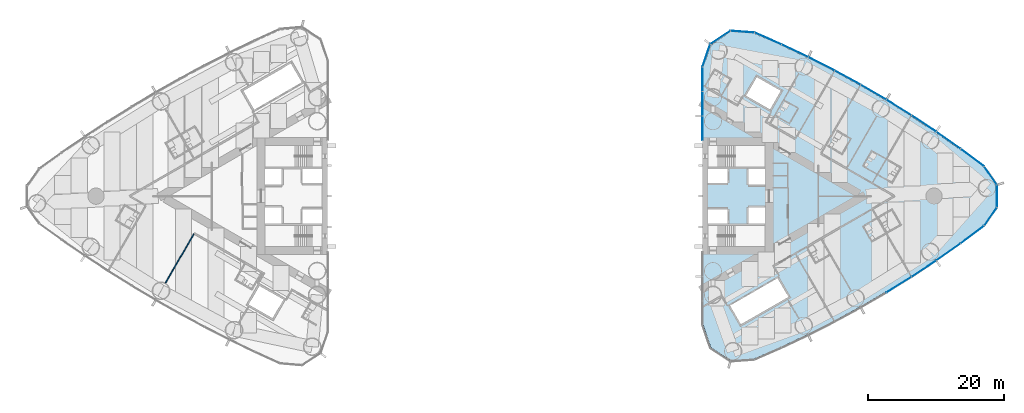
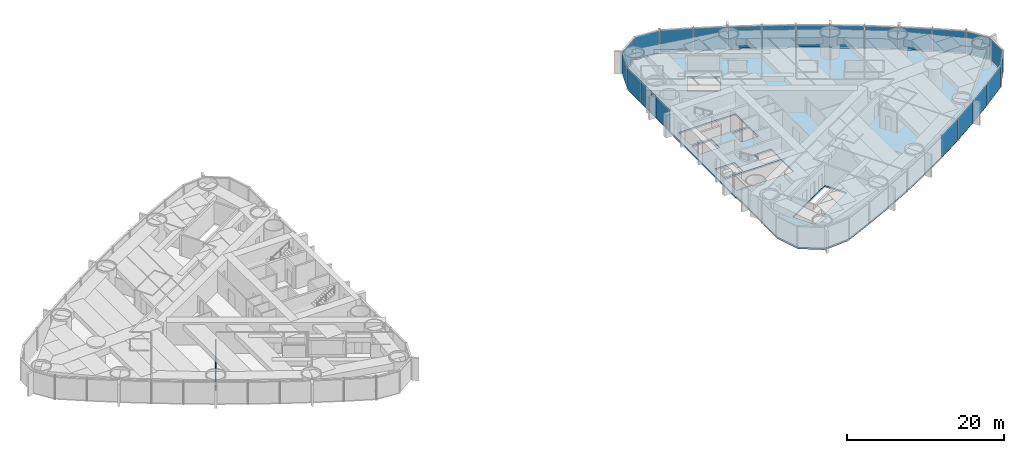
# One storey, part 10 of 18: 22 plates, 1 slab, 1 wall, 1 element without a shape of its own.
"""IFC4 building model written with IfcOpenShell, lengths in metres."""

from ifc_helpers import new_model, si_unit, direction, frame, frame_2d, origin, origin_2d, place, context, subcontext, project, spatial, polyline, rectangle, outline, extrude, material, layer, layer_set, type_object, element, aggregate, save


model = new_model("IFC4")

# Units and contexts
model_context = context("Model", 3, precision=1e-05, world=origin(), true_north=direction((0.0, 1.0)))
body_context = subcontext(model_context, "Body", "Model", "MODEL_VIEW")
ifc_project = project(units=[si_unit("LENGTHUNIT", "METRE"), si_unit("AREAUNIT", "SQUARE_METRE"), si_unit("VOLUMEUNIT", "CUBIC_METRE"), si_unit("PLANEANGLEUNIT", "RADIAN"), si_unit("MASSUNIT", "GRAM", prefix="KILO")], contexts=[model_context])

# Site, building, storey
site_placement = place(None, origin())
site = spatial("IfcSite", under=ifc_project, at=site_placement, CompositionType="ELEMENT")
building_placement = place(site_placement, origin())
building = spatial("IfcBuilding", under=site, at=building_placement, Name="Lancet Gate Hotel", CompositionType="ELEMENT")
storey_placement = place(building_placement, frame((0.0, 0.0, 115.10009765625)))
storey = spatial("IfcBuildingStorey", under=building, at=storey_placement, Name="L30", CompositionType="ELEMENT", Elevation=115.10009765625)

# Slab
ifc_material_1 = material(Name="Concrete C50/60", Category="concrete")
ifc_layer_1 = layer(ifc_material_1, 0.25)
ifc_layer_set_1 = layer_set([ifc_layer_1], Name="Floor slab 250")
slab_type = type_object("IfcSlabType", Name="Floor slab 250", PredefinedType="FLOOR", material=ifc_layer_set_1)
slab_placement = place(storey_placement, frame((0.0, 0.0, -0.25)))
element("IfcSlab", 1, at=slab_placement, inside=storey, type_object=slab_type, Name="T2 L30 floor slab", PredefinedType="FLOOR", context=body_context, shape_type="SweptSolid", body=[
    extrude(outline(polyline([(27.5, -8.60009765625), (27.6201171875, -8.60009765625), (27.6201171875, -18.923095703125), (28.7451171875, -22.22412109375), (31.63427734375, -24.1396484375), (35.112060546875, -23.890869140625), (39.0712890625, -22.150634765625), (42.996826171875, -20.29052734375), (46.867919921875, -18.31982421875), (50.681640625, -16.23974609375), (54.4345703125, -14.052490234375), (58.123779296875, -11.75927734375), (61.74658203125, -9.362548828125), (65.2998046875, -6.863525390625), (68.7666015625, -4.275390625), (70.627197265625, -1.6142578125), (70.627197265625, 1.6142578125), (68.7666015625, 4.275390625), (65.2998046875, 6.863525390625), (61.74658203125, 9.362548828125), (58.123779296875, 11.75927734375), (54.4345703125, 14.052490234375), (50.681640625, 16.23974609375), (46.867919921875, 18.31982421875), (42.996826171875, 20.29052734375), (39.0712890625, 22.150634765625), (35.112060546875, 23.890869140625), (31.63427734375, 24.1396484375), (28.7451171875, 22.22412109375), (27.6201171875, 18.923095703125), (27.6201171875, 8.60009765625), (27.5, 8.60009765625), (27.5, 8.199951171875), (27.5, -8.199951171875), (27.5, -8.60009765625)]), holes=[polyline([(36.699951171875, -7.39990234375), (36.699951171875, -4.300048828125), (28.300048828125, -4.300048828125), (28.300048828125, -7.39990234375), (36.699951171875, -7.39990234375)]), polyline([(28.300048828125, -4.0), (31.199951171875, -4.0), (31.199951171875, -1.89990234375), (28.300048828125, -1.89990234375), (28.300048828125, -4.0)]), polyline([(34.25, -4.0), (36.699951171875, -4.0), (36.699951171875, -1.64990234375), (34.25, -1.64990234375), (34.25, -4.0)]), polyline([(36.699951171875, 1.64990234375), (36.699951171875, 4.0), (34.25, 4.0), (34.25, 1.64990234375), (36.699951171875, 1.64990234375)]), polyline([(28.300048828125, 1.89990234375), (31.199951171875, 1.89990234375), (31.199951171875, 4.0), (28.300048828125, 4.0), (28.300048828125, 1.89990234375)]), polyline([(28.300048828125, 4.300048828125), (36.699951171875, 4.300048828125), (36.699951171875, 7.39990234375), (28.300048828125, 7.39990234375), (28.300048828125, 4.300048828125)]), polyline([(31.549072265625, -16.0810546875), (33.14892578125, -18.85205078125), (40.1640625, -14.802001953125), (38.56396484375, -12.031005859375), (31.549072265625, -16.0810546875)]), polyline([(33.887939453125, 14.73095703125), (37.43798828125, 12.680908203125), (39.0380859375, 15.451904296875), (35.488037109375, 17.501953125), (33.887939453125, 14.73095703125)])]), origin(), (0.0, 0.0, 1.0), 0.25),
])

# Curtain wall, plates
ifc_material_2 = material(Name="Aluminium curtain wall", Category="aluminium")
curtain_wall_type = type_object("IfcCurtainWallType", Name="Tower unitised curtain wall", PredefinedType="USERDEFINED", material=ifc_material_2)
curtain_wall_placement = place(storey_placement, origin())
curtain_wall = element("IfcCurtainWall", 2, at=curtain_wall_placement, inside=storey, type_object=curtain_wall_type, Name="T2 L30 curtain wall 1", ObjectType="UNITISED CURTAIN WALL", PredefinedType="USERDEFINED")
ifc_material_3 = material(Name="Glass double glazed unit 8-16-6", Category="glass")
ifc_layer_2 = layer(ifc_material_3, 0.030029296875)
ifc_layer_set_2 = layer_set([ifc_layer_2], Name="Vision panel double glazed")
plate_type = type_object("IfcPlateType", Name="Vision panel double glazed", PredefinedType="CURTAIN_PANEL", material=ifc_layer_set_2)
plate_1_placement = place(storey_placement, frame((56.342529296875, -13.0078125, -0.000244140625), z_axis=(0.0, 0.0, 1.0), x_axis=(0.849317759497, 0.527881940781, 0.0)))
plate_1 = element("IfcPlate", 3, at=plate_1_placement, type_object=plate_type, Name="T2 L30 curtain wall 1 panel 12", PredefinedType="CURTAIN_PANEL", context=body_context, shape_type="SweptSolid", body=[
    extrude(rectangle(XDim=4.2822265625, YDim=0.030029296875, at=origin_2d()), origin(), (0.0, 0.0, 1.0), 3.35009765625),
])
plate_2_placement = place(storey_placement, frame((60.00146484375, -10.660888671875, -0.000244140625), z_axis=(0.0, 0.0, 1.0), x_axis=(0.83398495346, 0.551787184885, 0.0)))
plate_2 = element("IfcPlate", 4, at=plate_2_placement, type_object=plate_type, Name="T2 L30 curtain wall 1 panel 13", PredefinedType="CURTAIN_PANEL", context=body_context, shape_type="SweptSolid", body=[
    extrude(rectangle(XDim=4.2822265625, YDim=0.030029296875, at=origin_2d()), origin(), (0.0, 0.0, 1.0), 3.35009765625),
])
plate_3_placement = place(storey_placement, frame((63.59228515625, -8.211181640625, -0.000244140625), z_axis=(0.0, 0.0, 1.0), x_axis=(0.817979492167, 0.57524738191, 0.0)))
plate_3 = element("IfcPlate", 5, at=plate_3_placement, type_object=plate_type, Name="T2 L30 curtain wall 1 panel 14", PredefinedType="CURTAIN_PANEL", context=body_context, shape_type="SweptSolid", body=[
    extrude(rectangle(XDim=4.2822265625, YDim=0.030029296875, at=origin_2d()), origin(), (0.0, 0.0, 1.0), 3.35009765625),
])
plate_4_placement = place(storey_placement, frame((67.112060546875, -5.660400390625, -0.000244140625), z_axis=(0.0, 0.0, 1.0), x_axis=(0.801314284905, 0.598243609917, 0.0)))
plate_4 = element("IfcPlate", 6, at=plate_4_placement, type_object=plate_type, Name="T2 L30 curtain wall 1 panel 15", PredefinedType="CURTAIN_PANEL", context=body_context, shape_type="SweptSolid", body=[
    extrude(rectangle(XDim=4.2822265625, YDim=0.030029296875, at=origin_2d()), origin(), (0.0, 0.0, 1.0), 3.35009765625),
])
plate_5_placement = place(storey_placement, frame((69.800537109375, -3.006103515625, -0.000244140625), z_axis=(0.0, 0.0, 1.0), x_axis=(0.573025075425, 0.819537834962, 0.0)))
plate_5 = element("IfcPlate", 7, at=plate_5_placement, type_object=plate_type, Name="T2 L30 curtain wall 1 panel 16", PredefinedType="CURTAIN_PANEL", context=body_context, shape_type="SweptSolid", body=[
    extrude(rectangle(XDim=3.2392578125, YDim=0.030029296875, at=origin_2d()), origin(), (0.0, 0.0, 1.0), 3.35009765625),
])
plate_6_placement = place(storey_placement, frame((70.747314453125, 0.0, -0.000244140625), z_axis=(0.0, 0.0, 1.0), x_axis=(0.0, 1.0, 0.0)))
plate_6 = element("IfcPlate", 8, at=plate_6_placement, type_object=plate_type, Name="T2 L30 curtain wall 1 panel 17", PredefinedType="CURTAIN_PANEL", context=body_context, shape_type="SweptSolid", body=[
    extrude(rectangle(XDim=3.2392578125, YDim=0.030029296875, at=origin_2d()), origin(), (0.0, 0.0, 1.0), 3.35009765625),
])
plate_7_placement = place(storey_placement, frame((69.800537109375, 3.006103515625, -0.000244140625), z_axis=(0.0, 0.0, 1.0), x_axis=(-0.573025075425, 0.819537834962, 0.0)))
plate_7 = element("IfcPlate", 9, at=plate_7_placement, type_object=plate_type, Name="T2 L30 curtain wall 1 panel 18", PredefinedType="CURTAIN_PANEL", context=body_context, shape_type="SweptSolid", body=[
    extrude(rectangle(XDim=3.2392578125, YDim=0.030029296875, at=origin_2d()), origin(), (0.0, 0.0, 1.0), 3.35009765625),
])
plate_8_placement = place(storey_placement, frame((67.112060546875, 5.660400390625, -0.000244140625), z_axis=(0.0, 0.0, 1.0), x_axis=(-0.801314284905, 0.598243609917, 0.0)))
plate_8 = element("IfcPlate", 10, at=plate_8_placement, type_object=plate_type, Name="T2 L30 curtain wall 1 panel 19", PredefinedType="CURTAIN_PANEL", context=body_context, shape_type="SweptSolid", body=[
    extrude(rectangle(XDim=4.2822265625, YDim=0.030029296875, at=origin_2d()), origin(), (0.0, 0.0, 1.0), 3.35009765625),
])
plate_9_placement = place(storey_placement, frame((63.59228515625, 8.211181640625, -0.000244140625), z_axis=(0.0, 0.0, 1.0), x_axis=(-0.817979492167, 0.57524738191, 0.0)))
plate_9 = element("IfcPlate", 11, at=plate_9_placement, type_object=plate_type, Name="T2 L30 curtain wall 1 panel 20", PredefinedType="CURTAIN_PANEL", context=body_context, shape_type="SweptSolid", body=[
    extrude(rectangle(XDim=4.2822265625, YDim=0.030029296875, at=origin_2d()), origin(), (0.0, 0.0, 1.0), 3.35009765625),
])
plate_10_placement = place(storey_placement, frame((60.00146484375, 10.660888671875, -0.000244140625), z_axis=(0.0, 0.0, 1.0), x_axis=(-0.83398495346, 0.551787184885, 0.0)))
plate_10 = element("IfcPlate", 12, at=plate_10_placement, type_object=plate_type, Name="T2 L30 curtain wall 1 panel 21", PredefinedType="CURTAIN_PANEL", context=body_context, shape_type="SweptSolid", body=[
    extrude(rectangle(XDim=4.2822265625, YDim=0.030029296875, at=origin_2d()), origin(), (0.0, 0.0, 1.0), 3.35009765625),
])
plate_11_placement = place(storey_placement, frame((56.342529296875, 13.0078125, -0.000244140625), z_axis=(0.0, 0.0, 1.0), x_axis=(-0.849317759497, 0.527881940781, 0.0)))
plate_11 = element("IfcPlate", 13, at=plate_11_placement, type_object=plate_type, Name="T2 L30 curtain wall 1 panel 22", PredefinedType="CURTAIN_PANEL", context=body_context, shape_type="SweptSolid", body=[
    extrude(rectangle(XDim=4.2822265625, YDim=0.030029296875, at=origin_2d()), origin(), (0.0, 0.0, 1.0), 3.35009765625),
])
plate_12_placement = place(storey_placement, frame((52.618408203125, 15.249755859375, -0.000244140625), z_axis=(0.0, 0.0, 1.0), x_axis=(-0.863965543499, 0.503550930538, 0.0)))
plate_12 = element("IfcPlate", 14, at=plate_12_placement, type_object=plate_type, Name="T2 L30 curtain wall 1 panel 23", PredefinedType="CURTAIN_PANEL", context=body_context, shape_type="SweptSolid", body=[
    extrude(rectangle(XDim=4.2822265625, YDim=0.030029296875, at=origin_2d()), origin(), (0.0, 0.0, 1.0), 3.35009765625),
])
plate_13_placement = place(storey_placement, frame((48.832275390625, 17.38525390625, -0.000244140625), z_axis=(0.0, 0.0, 1.0), x_axis=(-0.877916491224, 0.478813778454, 0.0)))
plate_13 = element("IfcPlate", 15, at=plate_13_placement, type_object=plate_type, Name="T2 L30 curtain wall 1 panel 24", PredefinedType="CURTAIN_PANEL", context=body_context, shape_type="SweptSolid", body=[
    extrude(rectangle(XDim=4.2822265625, YDim=0.030029296875, at=origin_2d()), origin(), (0.0, 0.0, 1.0), 3.35009765625),
])
plate_14_placement = place(storey_placement, frame((44.98681640625, 19.412109375, -0.000244140625), z_axis=(0.0, 0.0, 1.0), x_axis=(-0.891159350462, 0.453690436403, 0.0)))
plate_14 = element("IfcPlate", 16, at=plate_14_placement, type_object=plate_type, Name="T2 L30 curtain wall 1 panel 25", PredefinedType="CURTAIN_PANEL", context=body_context, shape_type="SweptSolid", body=[
    extrude(rectangle(XDim=4.2822265625, YDim=0.030029296875, at=origin_2d()), origin(), (0.0, 0.0, 1.0), 3.35009765625),
])
plate_15_placement = place(storey_placement, frame((41.08544921875, 21.3291015625, -0.000244140625), z_axis=(0.0, 0.0, 1.0), x_axis=(-0.903683440096, 0.428201167789, 0.0)))
plate_15 = element("IfcPlate", 17, at=plate_15_placement, type_object=plate_type, Name="T2 L30 curtain wall 1 panel 26", PredefinedType="CURTAIN_PANEL", context=body_context, shape_type="SweptSolid", body=[
    extrude(rectangle(XDim=4.2822265625, YDim=0.030029296875, at=origin_2d()), origin(), (0.0, 0.0, 1.0), 3.35009765625),
])
plate_16_placement = place(storey_placement, frame((37.13134765625, 23.13427734375, -0.000244140625), z_axis=(0.0, 0.0, 1.0), x_axis=(-0.915478658759, 0.40236653111, 0.0)))
plate_16 = element("IfcPlate", 18, at=plate_16_placement, type_object=plate_type, Name="T2 L30 curtain wall 1 panel 27", PredefinedType="CURTAIN_PANEL", context=body_context, shape_type="SweptSolid", body=[
    extrude(rectangle(XDim=4.2822265625, YDim=0.030029296875, at=origin_2d()), origin(), (0.0, 0.0, 1.0), 3.35009765625),
])
plate_17_placement = place(storey_placement, frame((33.37158203125, 24.1357421875, -0.000244140625), z_axis=(0.0, 0.0, 1.0), x_axis=(-0.997448492935, 0.07138980278, 0.0)))
plate_17 = element("IfcPlate", 19, at=plate_17_placement, type_object=plate_type, Name="T2 L30 curtain wall 1 panel 28", PredefinedType="CURTAIN_PANEL", context=body_context, shape_type="SweptSolid", body=[
    extrude(rectangle(XDim=3.4833984375, YDim=0.030029296875, at=origin_2d()), origin(), (0.0, 0.0, 1.0), 3.35009765625),
])
plate_18_placement = place(storey_placement, frame((30.123291015625, 23.281982421875, -0.000244140625), z_axis=(0.0, 0.0, 1.0), x_axis=(-0.833464516611, -0.552572981198, 0.0)))
plate_18 = element("IfcPlate", 20, at=plate_18_placement, type_object=plate_type, Name="T2 L30 curtain wall 1 panel 29", PredefinedType="CURTAIN_PANEL", context=body_context, shape_type="SweptSolid", body=[
    extrude(rectangle(XDim=3.4833984375, YDim=0.030029296875, at=origin_2d()), origin(), (0.0, 0.0, 1.0), 3.35009765625),
])
plate_19_placement = place(storey_placement, frame((28.072265625, 20.622314453125, -0.000244140625), z_axis=(0.0, 0.0, 1.0), x_axis=(-0.32257568891, -0.946543673015, 0.0)))
plate_19 = element("IfcPlate", 21, at=plate_19_placement, type_object=plate_type, Name="T2 L30 curtain wall 1 panel 30", PredefinedType="CURTAIN_PANEL", context=body_context, shape_type="SweptSolid", body=[
    extrude(rectangle(XDim=3.4833984375, YDim=0.030029296875, at=origin_2d()), origin(), (0.0, 0.0, 1.0), 3.35009765625),
])
plate_20_placement = place(storey_placement, frame((27.5, 17.15234375, -0.000244140625), z_axis=(0.0, 0.0, 1.0), x_axis=(0.0, -1.0, 0.0)))
plate_20 = element("IfcPlate", 22, at=plate_20_placement, type_object=plate_type, Name="T2 L30 curtain wall 1 panel 31", PredefinedType="CURTAIN_PANEL", context=body_context, shape_type="SweptSolid", body=[
    extrude(rectangle(XDim=3.515869140625, YDim=0.030029296875, at=origin_2d()), origin(), (0.0, 0.0, 1.0), 3.35009765625),
])
plate_21_placement = place(storey_placement, frame((27.5, 13.571533203125, -0.000244140625), z_axis=(0.0, 0.0, 1.0), x_axis=(0.0, -1.0, 0.0)))
plate_21 = element("IfcPlate", 23, at=plate_21_placement, type_object=plate_type, Name="T2 L30 curtain wall 1 panel 32", PredefinedType="CURTAIN_PANEL", context=body_context, shape_type="SweptSolid", body=[
    extrude(rectangle(XDim=3.515869140625, YDim=0.030029296875, at=origin_2d()), origin(), (0.0, 0.0, 1.0), 3.35009765625),
])
plate_22_placement = place(storey_placement, frame((27.5, 9.990478515625, -0.000244140625), z_axis=(0.0, 0.0, 1.0), x_axis=(0.0, -1.0, 0.0)))
plate_22 = element("IfcPlate", 24, at=plate_22_placement, type_object=plate_type, Name="T2 L30 curtain wall 1 panel 33", PredefinedType="CURTAIN_PANEL", context=body_context, shape_type="SweptSolid", body=[
    extrude(rectangle(XDim=3.515869140625, YDim=0.030029296875, at=origin_2d()), origin(), (0.0, 0.0, 1.0), 3.35009765625),
])
aggregate(curtain_wall, [plate_1, plate_2, plate_3, plate_4, plate_5, plate_6, plate_7, plate_8, plate_9, plate_10, plate_11, plate_12, plate_13, plate_14, plate_15, plate_16, plate_17, plate_18, plate_19, plate_20, plate_21, plate_22])

# Wall
ifc_material_4 = material(Name="Gypsum board partition")
ifc_layer_3 = layer(ifc_material_4, 0.14990234375)
ifc_layer_set_3 = layer_set([ifc_layer_3], Name="Party wall 150")
wall_type = type_object("IfcWallType", Name="Party wall 150", PredefinedType="PARTITIONING", material=ifc_layer_set_3)
wall_placement = place(storey_placement, frame((-47.151123046875, -5.552490234375, 0.0), z_axis=(0.0, 0.0, 1.0), x_axis=(-0.500003012045, -0.866023664773, 0.0)))
element("IfcWall", 25, at=wall_placement, inside=storey, type_object=wall_type, Name="T1 party wall 150 L30", PredefinedType="PARTITIONING", context=body_context, shape_type="SweptSolid", body=[
    extrude(rectangle(XDim=8.31103515625, YDim=0.14990234375, at=frame_2d((4.155517578125, 0.0))), origin(), (0.0, 0.0, 1.0), 2.199951171875),
])

save(model, "model.ifc")
